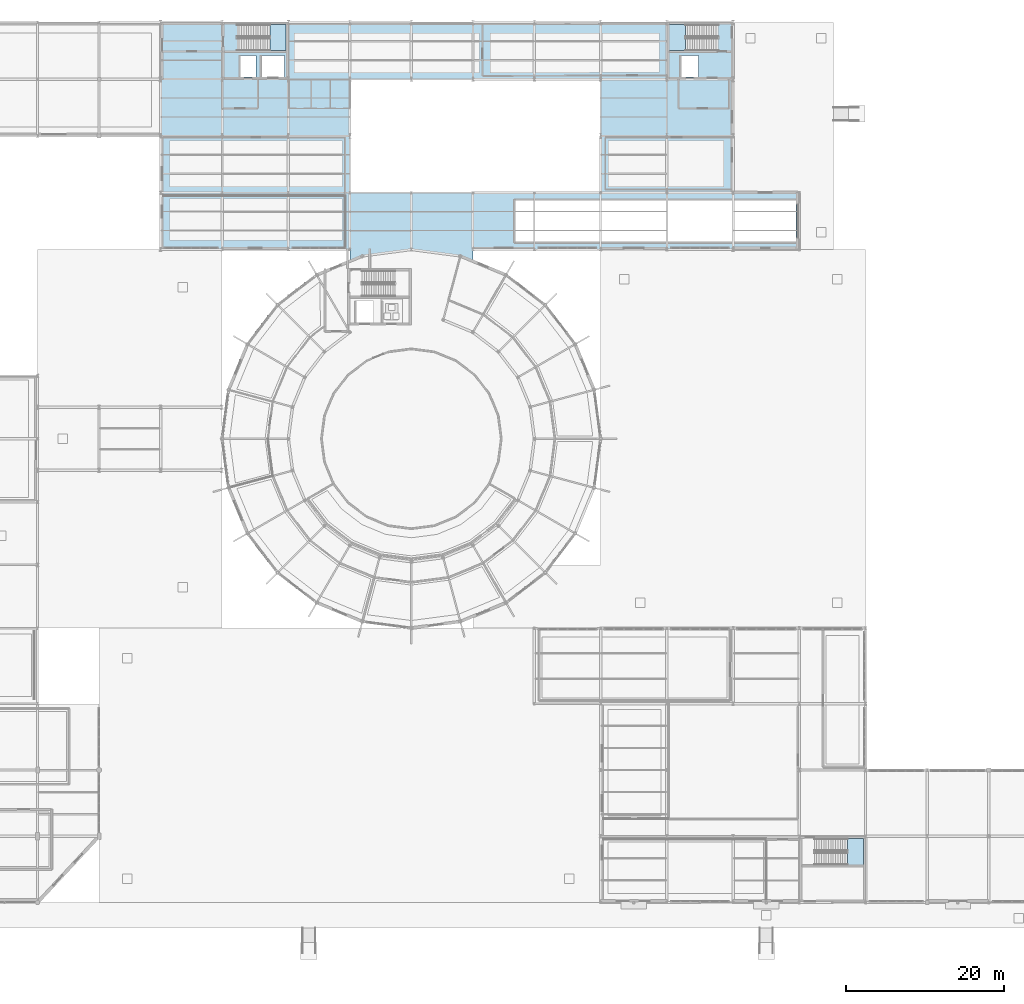
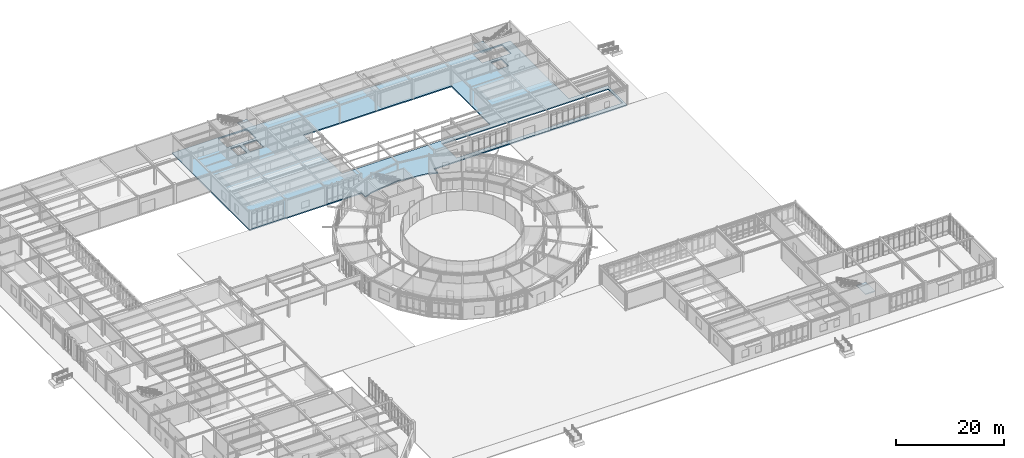
# One storey, part 70 of 101: 4 slabs, 3 elements without a shape of their own.
"""IFC4 building model written with IfcOpenShell, lengths in metres."""

from ifc_helpers import new_model, si_unit, derived_unit, direction, frame, origin, place, context, subcontext, project, spatial, polyline, outline, extrude, material, layer, layer_set, type_object, element, aggregate, save


model = new_model("IFC4")

# Units and contexts
model_context = context("Model", 3, precision=1e-05, world=origin(), true_north=direction((0.0, 1.0)))
body_context = subcontext(model_context, "Body", "Model", "MODEL_VIEW")
ifc_project = project(units=[si_unit("LENGTHUNIT", "METRE"), si_unit("AREAUNIT", "SQUARE_METRE"), si_unit("VOLUMEUNIT", "CUBIC_METRE"), si_unit("PLANEANGLEUNIT", "RADIAN"), si_unit("MASSUNIT", "GRAM", prefix="KILO"), derived_unit("THERMALTRANSMITTANCEUNIT", [(si_unit("POWERUNIT", "WATT"), 1), (si_unit("AREAUNIT", "SQUARE_METRE"), -1), (si_unit("THERMODYNAMICTEMPERATUREUNIT", "KELVIN"), -1)])], contexts=[model_context])

# Site, building, storey
site_placement = place(None, origin())
site = spatial("IfcSite", under=ifc_project, at=site_placement, CompositionType="ELEMENT")
building_placement = place(site_placement, origin())
building = spatial("IfcBuilding", under=site, at=building_placement, Name="Yasenodar Specialist Clinic", CompositionType="ELEMENT")
storey_placement = place(building_placement, origin())
storey = spatial("IfcBuildingStorey", under=building, at=storey_placement, Name="L00", CompositionType="ELEMENT", Elevation=0.0)

# Slab
ifc_material = material(Name="Concrete C30/37", Category="concrete")
ifc_layer_1 = layer(ifc_material, 0.264892578125)
ifc_layer_set_1 = layer_set([ifc_layer_1], Name="Concrete C30/37")
slab_type_1 = type_object("IfcSlabType", Name="SLB-FLR-265", PredefinedType="FLOOR", material=ifc_layer_set_1)
slab_1_placement = place(storey_placement, frame((0.0, 0.0, -0.264892578125)))
element("IfcSlab", 1, at=slab_1_placement, inside=storey, type_object=slab_type_1, Name="L00 V5 structural slab", PredefinedType="FLOOR", context=body_context, shape_type="SweptSolid", body=[
    extrude(outline(polyline([(73.199951171875, 82.800048828125), (49.199951171875, 82.800048828125), (49.215087890625, 111.60009765625), (121.800048828125, 111.60009765625), (121.800048828125, 90.0), (130.199951171875, 90.0), (130.199951171875, 82.800048828125), (88.800048828125, 82.800048828125), (88.800048828125, 81.340576171875), (87.215576171875, 81.996826171875), (81.0, 82.815185546875), (74.784423828125, 81.996826171875), (73.199951171875, 81.340576171875), (73.199951171875, 82.800048828125)]), holes=[polyline([(65.1201171875, 108.010009765625), (65.1201171875, 111.31005859375), (58.9599609375, 111.31005859375), (58.9599609375, 108.010009765625), (65.1201171875, 108.010009765625)]), polyline([(119.840087890625, 108.010009765625), (119.840087890625, 111.31005859375), (113.679931640625, 111.31005859375), (113.679931640625, 108.010009765625), (119.840087890625, 108.010009765625)]), polyline([(61.300048828125, 104.699951171875), (61.300048828125, 107.39990234375), (59.300048828125, 107.39990234375), (59.300048828125, 104.699951171875), (61.300048828125, 104.699951171875)]), polyline([(64.89990234375, 104.699951171875), (64.89990234375, 107.39990234375), (62.0, 107.39990234375), (62.0, 104.699951171875), (64.89990234375, 104.699951171875)]), polyline([(117.39990234375, 104.699951171875), (117.39990234375, 107.39990234375), (115.199951171875, 107.39990234375), (115.199951171875, 104.699951171875), (117.39990234375, 104.699951171875)]), polyline([(105.0, 90.0), (105.0, 104.39990234375), (73.199951171875, 104.39990234375), (73.199951171875, 90.0), (105.0, 90.0)]), polyline([(129.75, 83.75), (129.75, 89.050048828125), (94.199951171875, 89.050048828125), (94.199951171875, 83.75), (129.75, 83.75)])]), origin(), (0.0, 0.0, 1.0), 0.264892578125),
])

# Stair, slab
stair_type = type_object("IfcStairType", Name="ST-DOG-C4-30", PredefinedType="HALF_TURN_STAIR", material=ifc_material)
stair_1_placement = place(storey_placement, origin())
stair_1 = element("IfcStair", 2, at=stair_1_placement, inside=storey, type_object=stair_type, Name="L00 Core C4 Exit Stair ST-04", PredefinedType="HALF_TURN_STAIR")
ifc_layer_2 = layer(ifc_material, 0.199951171875)
ifc_layer_set_2 = layer_set([ifc_layer_2], Name="Concrete C30/37")
slab_type_2 = type_object("IfcSlabType", Name="SLB-LND-200", PredefinedType="LANDING", material=ifc_layer_set_2)
slab_2_placement = place(storey_placement, frame((0.0, 0.0, 2.050048828125)))
slab_2 = element("IfcSlab", 3, at=slab_2_placement, type_object=slab_type_2, Name="ST-04 landing 1", PredefinedType="LANDING", context=body_context, shape_type="SweptSolid", body=[
    extrude(outline(polyline([(63.070068359375, 108.010009765625), (65.1201171875, 108.010009765625), (65.1201171875, 111.31005859375), (63.070068359375, 111.31005859375), (63.070068359375, 108.010009765625)])), origin(), (0.0, 0.0, 1.0), 0.199951171875),
])
aggregate(stair_1, [slab_2])

stair_2_placement = place(storey_placement, origin())
stair_2 = element("IfcStair", 4, at=stair_2_placement, inside=storey, type_object=stair_type, Name="L00 Core C5 Exit Stair ST-05", PredefinedType="HALF_TURN_STAIR")
slab_3_placement = place(storey_placement, frame((0.0, 0.0, 2.050048828125)))
slab_3 = element("IfcSlab", 5, at=slab_3_placement, type_object=slab_type_2, Name="ST-05 landing 1", PredefinedType="LANDING", context=body_context, shape_type="SweptSolid", body=[
    extrude(outline(polyline([(115.72998046875, 111.31005859375), (113.679931640625, 111.31005859375), (113.679931640625, 108.010009765625), (115.72998046875, 108.010009765625), (115.72998046875, 111.31005859375)])), origin(), (0.0, 0.0, 1.0), 0.199951171875),
])
aggregate(stair_2, [slab_3])

stair_3_placement = place(storey_placement, origin())
stair_3 = element("IfcStair", 6, at=stair_3_placement, inside=storey, type_object=stair_type, Name="L00 Core C6 Exit Stair ST-06", PredefinedType="HALF_TURN_STAIR")
slab_4_placement = place(storey_placement, frame((0.0, 0.0, 2.050048828125)))
slab_4 = element("IfcSlab", 7, at=slab_4_placement, type_object=slab_type_2, Name="ST-06 landing 1", PredefinedType="LANDING", context=body_context, shape_type="SweptSolid", body=[
    extrude(outline(polyline([(136.2900390625, 4.760009765625), (138.320068359375, 4.760009765625), (138.320068359375, 8.1201171875), (136.2900390625, 8.1201171875), (136.2900390625, 4.760009765625)])), origin(), (0.0, 0.0, 1.0), 0.199951171875),
])
aggregate(stair_3, [slab_4])

save(model, "model.ifc")
